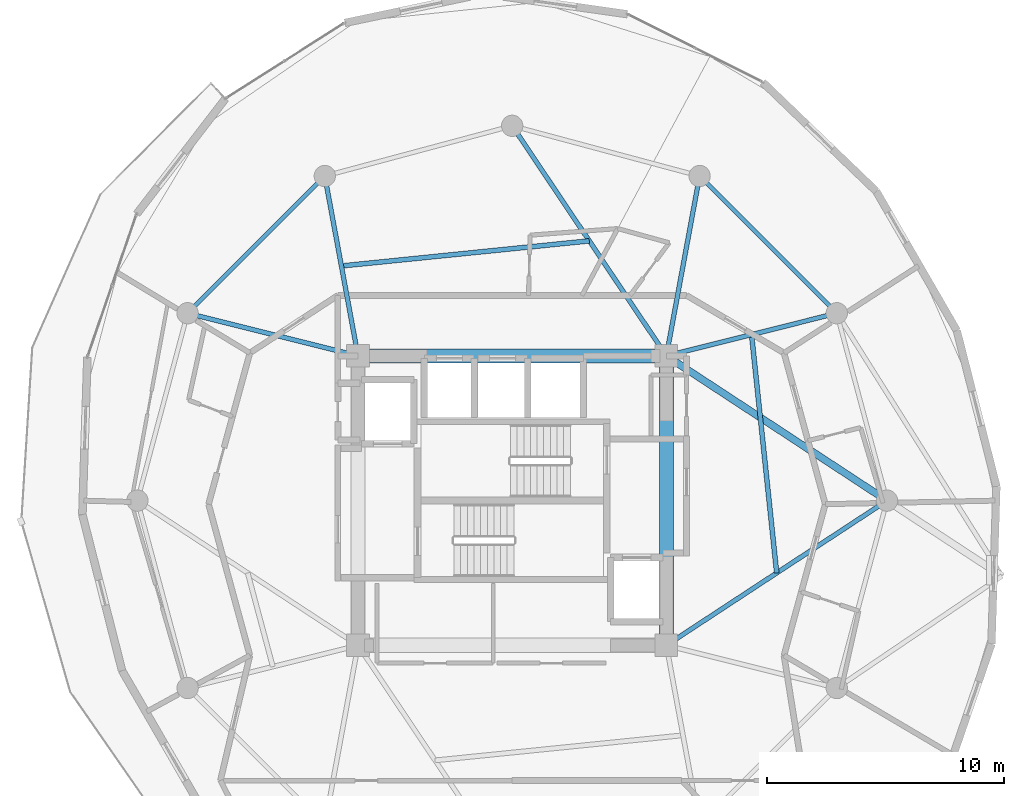
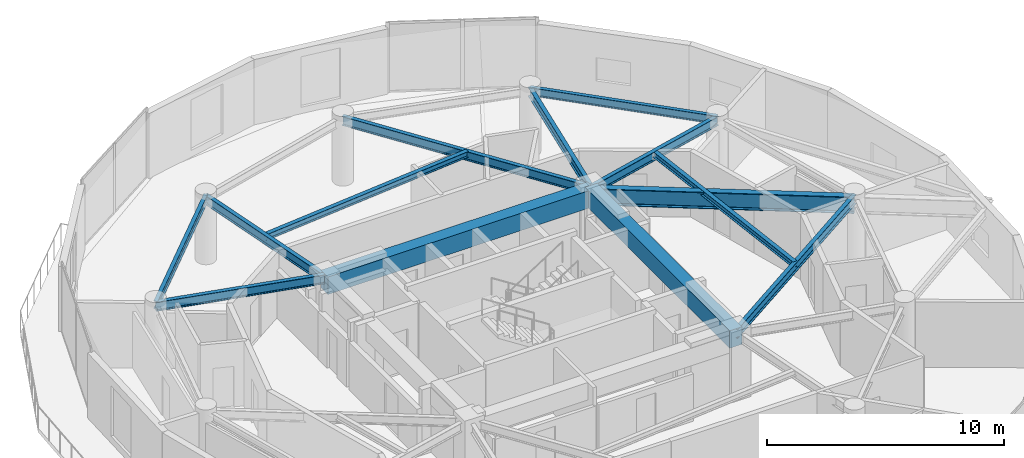
# One storey, part 8 of 19: 13 beams.
"""IFC4 building model written with IfcOpenShell, lengths in metres."""

from ifc_helpers import new_model, si_unit, direction, frame, origin, origin_2d, place, context, subcontext, project, spatial, rectangle, i_section, extrude, material, material_profile, profile_set, type_object, element, save


model = new_model("IFC4")

# Units and contexts
model_context = context("Model", 3, precision=1e-05, world=origin(), true_north=direction((0.0, 1.0)))
body_context = subcontext(model_context, "Body", "Model", "MODEL_VIEW")
ifc_project = project(units=[si_unit("LENGTHUNIT", "METRE"), si_unit("AREAUNIT", "SQUARE_METRE"), si_unit("VOLUMEUNIT", "CUBIC_METRE"), si_unit("PLANEANGLEUNIT", "RADIAN"), si_unit("MASSUNIT", "GRAM", prefix="KILO")], contexts=[model_context])

# Site, building, storey
site_placement = place(None, origin())
site = spatial("IfcSite", under=ifc_project, at=site_placement, CompositionType="ELEMENT")
building_placement = place(site_placement, origin())
building = spatial("IfcBuilding", under=site, at=building_placement, Name="Solvirekh Grand Hotel", CompositionType="ELEMENT")
storey_placement = place(building_placement, frame((0.0, 0.0, 212.800048828125)))
storey = spatial("IfcBuildingStorey", under=building, at=storey_placement, Name="L55", CompositionType="ELEMENT", Elevation=212.800048828125)

# Beams
ifc_material_1 = material(Name="Concrete C50/60", Category="concrete")
ifc_material_profile_1 = material_profile(ifc_material_1, rectangle(XDim=0.60009765625, YDim=0.89990234375, at=origin_2d()), Name="RC BEAM 600X900")
ifc_profile_set_1 = profile_set([ifc_material_profile_1], Name="Concrete C50/60")
beam_type_1 = type_object("IfcBeamType", Name="Beam_Core_RC900", PredefinedType="BEAM", material=ifc_profile_set_1)
beam_1_placement = place(storey_placement, frame((6.5, -6.10009765625, 2.909912109375), z_axis=(0.0, 1.0, 0.0), x_axis=(-1.0, 0.0, 0.0)))
element("IfcBeam", 1, at=beam_1_placement, inside=storey, type_object=beam_type_1, Name="L55 core coupling ring beam 2", PredefinedType="BEAM", context=body_context, shape_type="SweptSolid", body=[
    extrude(rectangle(XDim=0.60009765625, YDim=0.89990234375, at=origin_2d()), origin(), (0.0, 0.0, 1.0), 12.2001953125),
])
beam_2_placement = place(storey_placement, frame((6.5, 6.10009765625, 2.909912109375), z_axis=(-1.0, 0.0, 0.0), x_axis=(0.0, -1.0, 0.0)))
element("IfcBeam", 2, at=beam_2_placement, inside=storey, type_object=beam_type_1, Name="L55 core coupling ring beam 3", PredefinedType="BEAM", context=body_context, shape_type="SweptSolid", body=[
    extrude(rectangle(XDim=0.60009765625, YDim=0.89990234375, at=origin_2d()), origin(), (0.0, 0.0, 1.0), 13.0),
])
ifc_material_2 = material(Name="Steel S460", Category="steel")
ifc_material_profile_2 = material_profile(ifc_material_2, i_section(OverallWidth=0.302001953125, OverallDepth=0.85498046875, WebThickness=0.01904296875, FlangeThickness=0.032958984375, FilletRadius=0.01806640625, at=origin_2d()), Name="W840X299")
ifc_profile_set_2 = profile_set([ifc_material_profile_2], Name="Steel S460")
beam_type_2 = type_object("IfcBeamType", Name="Beam_PoolTie_W840", PredefinedType="BEAM", material=ifc_profile_set_2)
beam_3_placement = place(storey_placement, frame((6.5, 6.10009765625, 2.862060546875), z_axis=(0.836174064962, -0.548464158432, 0.0), x_axis=(0.548464158432, 0.836174064962, 0.0)))
element("IfcBeam", 3, at=beam_3_placement, inside=storey, type_object=beam_type_2, Name="L56 sky-garden back-span tie girder", PredefinedType="BEAM", context=body_context, shape_type="SweptSolid", body=[
    extrude(i_section(OverallWidth=0.302001953125, OverallDepth=0.85498046875, WebThickness=0.01904296875, FlangeThickness=0.032958984375, FilletRadius=0.01806640625, at=origin_2d()), origin(), (0.0, 0.0, 1.0), 11.1220703125),
])
ifc_material_3 = material(Name="Steel S355", Category="steel")
ifc_material_profile_3 = material_profile(ifc_material_3, i_section(OverallWidth=0.194091796875, OverallDepth=0.468994140625, WebThickness=0.010986328125, FlangeThickness=0.01904296875, FilletRadius=0.012939453125, at=origin_2d()), Name="W460X106")
ifc_profile_set_3 = profile_set([ifc_material_profile_3], Name="Steel S355")
beam_type_3 = type_object("IfcBeamType", Name="Beam_Radial_W460H", PredefinedType="BEAM", material=ifc_profile_set_3)
beam_4_placement = place(storey_placement, frame((6.5, -6.10009765625, 3.125), z_axis=(0.836174064962, 0.548464158432, 0.0), x_axis=(-0.548464158432, 0.836174064962, 0.0)))
element("IfcBeam", 4, at=beam_4_placement, inside=storey, type_object=beam_type_3, Name="L55 radial floor beam R01", PredefinedType="BEAM", context=body_context, shape_type="SweptSolid", body=[
    extrude(i_section(OverallWidth=0.194091796875, OverallDepth=0.468994140625, WebThickness=0.010986328125, FlangeThickness=0.01904296875, FilletRadius=0.012939453125, at=origin_2d()), origin(), (0.0, 0.0, 1.0), 11.1220703125),
])
beam_5_placement = place(storey_placement, frame((6.5, 6.10009765625, 3.125), z_axis=(0.970014367692, 0.243047580675, 0.0), x_axis=(-0.243047580675, 0.970014367692, 0.0)))
element("IfcBeam", 5, at=beam_5_placement, inside=storey, type_object=beam_type_3, Name="L55 radial floor beam R02", PredefinedType="BEAM", context=body_context, shape_type="SweptSolid", body=[
    extrude(i_section(OverallWidth=0.194091796875, OverallDepth=0.468994140625, WebThickness=0.010986328125, FlangeThickness=0.01904296875, FilletRadius=0.012939453125, at=origin_2d()), origin(), (0.0, 0.0, 1.0), 7.4052734375),
])
beam_6_placement = place(storey_placement, frame((6.5, 6.10009765625, 3.125), z_axis=(0.181542769111, 0.983383049978, 0.0), x_axis=(-0.983383049978, 0.181542769111, 0.0)))
element("IfcBeam", 6, at=beam_6_placement, inside=storey, type_object=beam_type_3, Name="L55 radial floor beam R03", PredefinedType="BEAM", context=body_context, shape_type="SweptSolid", body=[
    extrude(i_section(OverallWidth=0.194091796875, OverallDepth=0.468994140625, WebThickness=0.010986328125, FlangeThickness=0.01904296875, FilletRadius=0.012939453125, at=origin_2d()), origin(), (0.0, 0.0, 1.0), 7.711181640625),
])
beam_7_placement = place(storey_placement, frame((6.5, 6.10009765625, 3.125), z_axis=(-0.556676926176, 0.830729077295, 0.0), x_axis=(-0.830729077295, -0.556676926176, 0.0)))
element("IfcBeam", 7, at=beam_7_placement, inside=storey, type_object=beam_type_3, Name="L55 radial floor beam R04", PredefinedType="BEAM", context=body_context, shape_type="SweptSolid", body=[
    extrude(i_section(OverallWidth=0.194091796875, OverallDepth=0.468994140625, WebThickness=0.010986328125, FlangeThickness=0.01904296875, FilletRadius=0.012939453125, at=origin_2d()), origin(), (0.0, 0.0, 1.0), 11.676513671875),
])
beam_8_placement = place(storey_placement, frame((-6.5, 6.10009765625, 3.125), z_axis=(-0.181542769111, 0.983383049978, 0.0), x_axis=(-0.983383049978, -0.181542769111, 0.0)))
element("IfcBeam", 8, at=beam_8_placement, inside=storey, type_object=beam_type_3, Name="L55 radial floor beam R05", PredefinedType="BEAM", context=body_context, shape_type="SweptSolid", body=[
    extrude(i_section(OverallWidth=0.194091796875, OverallDepth=0.468994140625, WebThickness=0.010986328125, FlangeThickness=0.01904296875, FilletRadius=0.012939453125, at=origin_2d()), origin(), (0.0, 0.0, 1.0), 7.711181640625),
])
beam_9_placement = place(storey_placement, frame((-6.5, 6.10009765625, 3.125), z_axis=(-0.970014367692, 0.243047580675, 0.0), x_axis=(-0.243047580675, -0.970014367692, 0.0)))
element("IfcBeam", 9, at=beam_9_placement, inside=storey, type_object=beam_type_3, Name="L55 radial floor beam R06", PredefinedType="BEAM", context=body_context, shape_type="SweptSolid", body=[
    extrude(i_section(OverallWidth=0.194091796875, OverallDepth=0.468994140625, WebThickness=0.010986328125, FlangeThickness=0.01904296875, FilletRadius=0.012939453125, at=origin_2d()), origin(), (0.0, 0.0, 1.0), 7.4052734375),
])
ifc_material_profile_4 = material_profile(ifc_material_3, i_section(OverallWidth=0.202880859375, OverallDepth=0.302978515625, WebThickness=0.008056640625, FlangeThickness=0.012939453125, FilletRadius=0.010009765625, at=origin_2d()), Name="W310X60")
ifc_profile_set_4 = profile_set([ifc_material_profile_4], Name="Steel S355")
beam_type_4 = type_object("IfcBeamType", Name="Joist_Floor_W310", PredefinedType="JOIST", material=ifc_profile_set_4)
beam_10_placement = place(storey_placement, frame((11.14990234375, -3.050048828125, 3.2080078125), z_axis=(-0.1047765874, 0.994495785176, 0.0), x_axis=(-0.994495785176, -0.1047765874, 0.0)))
element("IfcBeam", 10, at=beam_10_placement, inside=storey, type_object=beam_type_4, Name="L55 secondary composite floor joist 1", PredefinedType="JOIST", context=body_context, shape_type="SweptSolid", body=[
    extrude(i_section(OverallWidth=0.202880859375, OverallDepth=0.302978515625, WebThickness=0.008056640625, FlangeThickness=0.012939453125, FilletRadius=0.010009765625, at=origin_2d()), origin(), (0.0, 0.0, 1.0), 10.105712890625),
])
beam_11_placement = place(storey_placement, frame((3.25, 10.949951171875, 3.2080078125), z_axis=(-0.994915167737, -0.100716478326, 0.0), x_axis=(0.100716478326, -0.994915167737, 0.0)))
element("IfcBeam", 11, at=beam_11_placement, inside=storey, type_object=beam_type_4, Name="L55 secondary composite floor joist 4", PredefinedType="JOIST", context=body_context, shape_type="SweptSolid", body=[
    extrude(i_section(OverallWidth=0.202880859375, OverallDepth=0.302978515625, WebThickness=0.008056640625, FlangeThickness=0.012939453125, FilletRadius=0.010009765625, at=origin_2d()), origin(), (0.0, 0.0, 1.0), 10.50341796875),
])
ifc_material_profile_5 = material_profile(ifc_material_3, i_section(OverallWidth=0.180908203125, OverallDepth=0.4169921875, WebThickness=0.010009765625, FlangeThickness=0.01611328125, FilletRadius=0.011962890625, at=origin_2d()), Name="W410X85")
ifc_profile_set_5 = profile_set([ifc_material_profile_5], Name="Steel S355")
beam_type_5 = type_object("IfcBeamType", Name="Spandrel_Ring_W410", PredefinedType="SPANDREL", material=ifc_profile_set_5)
for number, where, z_axis, x_axis, name in (
    (12, (13.68310546875, 7.89990234375, 3.15185546875), (-0.707106781187, 0.707106781187, 0.0), (-0.707106781187, -0.707106781187, 0.0), "L55 perimeter spandrel beam 2"),
    (13, (-7.89990234375, 13.68310546875, 3.15185546875), (-0.707106781187, -0.707106781187, 0.0), (0.707106781187, -0.707106781187, 0.0), "L55 perimeter spandrel beam 5"),
):
    element("IfcBeam", number, at=place(storey_placement, frame(where, z_axis=z_axis, x_axis=x_axis)), inside=storey, type_object=beam_type_5, Name=name, PredefinedType="SPANDREL", context=body_context, shape_type="SweptSolid", body=[
        extrude(i_section(OverallWidth=0.180908203125, OverallDepth=0.4169921875, WebThickness=0.010009765625, FlangeThickness=0.01611328125, FilletRadius=0.011962890625, at=origin_2d()), origin(), (0.0, 0.0, 1.0), 8.1787109375),
    ])

save(model, "model.ifc")
